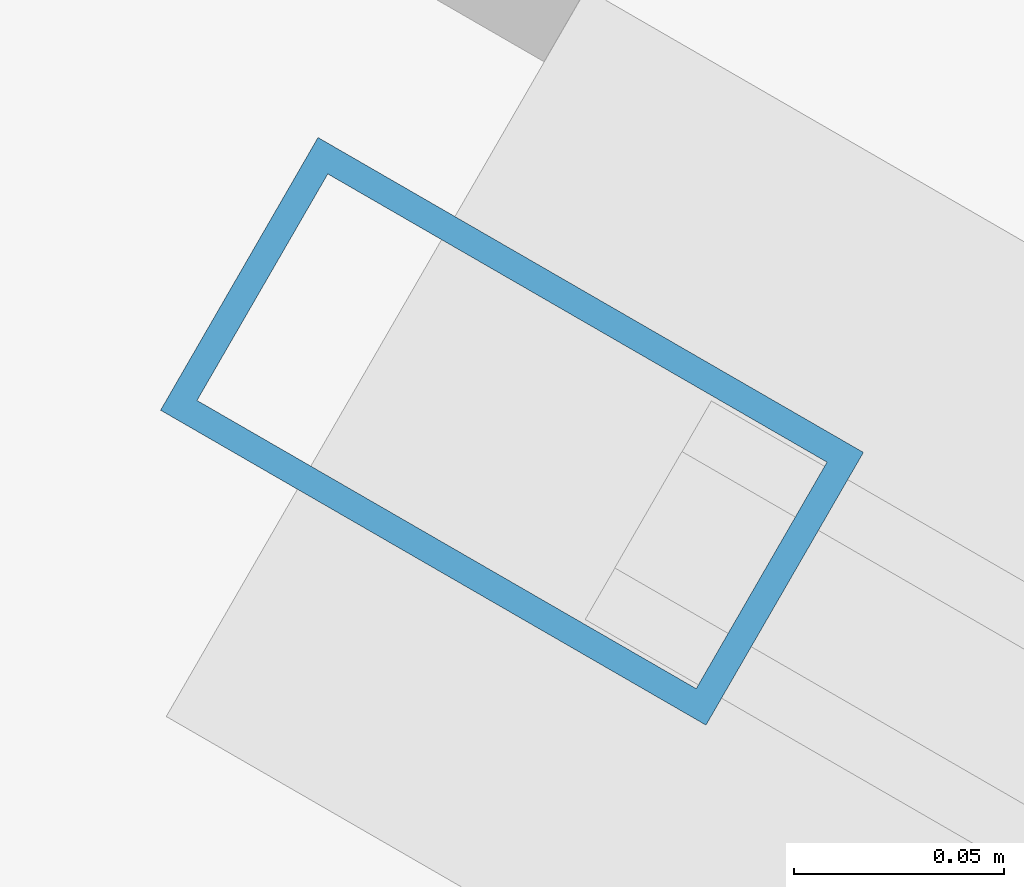
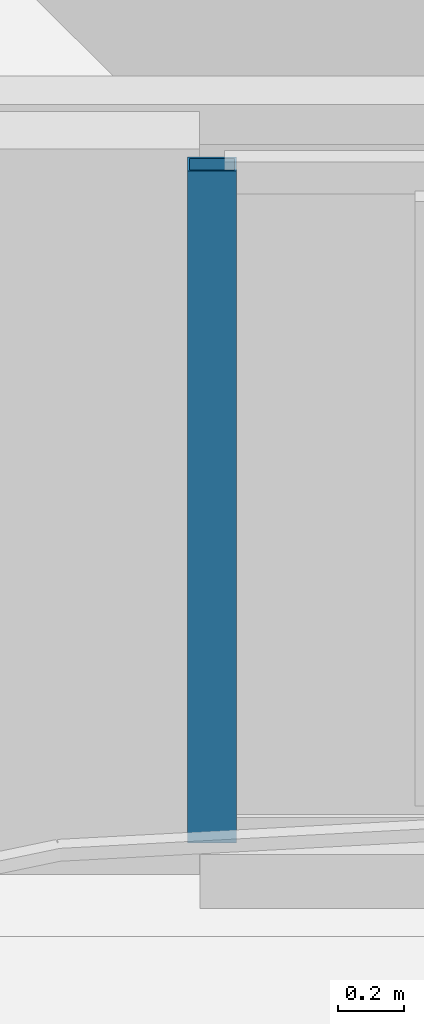
# One storey, part 4 of 18: 1 member, 1 element without a shape of its own.
"""IFC4 building model written with IfcOpenShell, lengths in metres."""

import ifcopenshell
import ifcopenshell.guid

model = None  # the IFC model being written
_history = None  # IfcOwnerHistory: only IFC2X3 demands one
_inside = {}  # id of a spatial element -> (the spatial element, [elements in it])
_under = {}  # id of a project, library or spatial element -> (it, [spatial elements below it])
_declared = {}  # id of a project -> (the project, [libraries it declares])
_typed = {}  # id of a type object -> (the type object, [elements of that type])
_made_of = {}  # id of a material, layer set ... -> (it, [elements and type objects made of it])


def new_model(schema):
    """Start an empty IFC model of exactly this schema.

    Asked for "IFC4X3", IfcOpenShell would pick the latest addendum, in which some entities
    have other attributes; the version numbers below select the first issue.
    IFC2X3 requires an IfcOwnerHistory on every rooted entity: one is made here for all.
    """
    global model, _history
    if schema == "IFC4X3":
        model = ifcopenshell.file(schema_version=(4, 3, 0, 0))
    else:
        model = ifcopenshell.file(schema=schema)
    _inside.clear()
    _under.clear()
    _declared.clear()
    _typed.clear()
    _made_of.clear()
    _history = None
    if model.schema == "IFC2X3":
        org = make("IfcOrganization", Name="unknown")
        user = make(
            "IfcPersonAndOrganization",
            ThePerson=make("IfcPerson", FamilyName="unknown"),
            TheOrganization=org,
        )
        app = make(
            "IfcApplication",
            ApplicationDeveloper=org,
            Version="unknown",
            ApplicationFullName="unknown",
            ApplicationIdentifier="unknown",
        )
        _history = make(
            "IfcOwnerHistory",
            OwningUser=user,
            OwningApplication=app,
            ChangeAction="ADDED",
            CreationDate=0,
        )
    return model


def make(cls, **values):
    """One entity of the class cls with the attributes given. An attribute that is None is left unset."""
    return model.create_entity(
        cls, **{name: value for name, value in values.items() if value is not None}
    )


def rooted(cls, **values):
    """An entity with a GlobalId (a new one), such as an element, a storey or a relation."""
    return make(cls, GlobalId=ifcopenshell.guid.new(), OwnerHistory=_history, **values)


def si_unit(unit_type, name, prefix=None):
    """IfcSIUnit, for example si_unit("LENGTHUNIT", "METRE", prefix="MILLI")."""
    return make("IfcSIUnit", UnitType=unit_type, Prefix=prefix, Name=name)


def assignment(units):
    """IfcUnitAssignment: the units of a project."""
    return None if units is None else make("IfcUnitAssignment", Units=units)


def point(xyz):
    """IfcCartesianPoint."""
    return None if xyz is None else make("IfcCartesianPoint", Coordinates=xyz)


def direction(xyz):
    """IfcDirection."""
    return None if xyz is None else make("IfcDirection", DirectionRatios=xyz)


def frame(location, z_axis=None, x_axis=None):
    """IfcAxis2Placement3D, a coordinate frame: its origin and axes. An axis left out is left unset."""
    return make(
        "IfcAxis2Placement3D",
        Location=point(location),
        Axis=direction(z_axis),
        RefDirection=direction(x_axis),
    )


def frame_2d(location, x_axis=None):
    """IfcAxis2Placement2D, a coordinate frame in the plane: its origin and x axis."""
    return make(
        "IfcAxis2Placement2D", Location=point(location), RefDirection=direction(x_axis)
    )


def origin():
    """The frame at (0, 0, 0) with its axes left unset."""
    return frame((0.0, 0.0, 0.0))


def origin_2d():
    """The frame at (0, 0) in the plane with its x axis left unset."""
    return frame_2d((0.0, 0.0))


def place(relative_to, where):
    """IfcLocalPlacement: puts the frame where relative to a parent placement (None: the world)."""
    return make(
        "IfcLocalPlacement", PlacementRelTo=relative_to, RelativePlacement=where
    )


def context(
    kind, dimensions, precision=None, world=None, true_north=None, identifier=None
):
    """IfcGeometricRepresentationContext, for example the 3D "Model" context."""
    return make(
        "IfcGeometricRepresentationContext",
        ContextIdentifier=identifier,
        ContextType=kind,
        CoordinateSpaceDimension=dimensions,
        Precision=precision,
        WorldCoordinateSystem=world,
        TrueNorth=true_north,
    )


def subcontext(parent, identifier, kind, view, scale=None):
    """IfcGeometricRepresentationSubContext, for example "Body" below "Model"."""
    return make(
        "IfcGeometricRepresentationSubContext",
        ContextIdentifier=identifier,
        ContextType=kind,
        ParentContext=parent,
        TargetScale=scale,
        TargetView=view,
    )


def project(units=None, contexts=None):
    """IfcProject with its units and contexts."""
    return rooted(
        "IfcProject",
        Name="project",
        RepresentationContexts=contexts,
        UnitsInContext=assignment(units),
    )


def spatial(cls, under=None, at=None, **own):
    """A site, building, storey or space (cls), placed at a placement, below another one or the project."""
    s = rooted(cls, ObjectPlacement=at, **own)
    if under is not None:
        _under.setdefault(under.id(), (under, []))[1].append(s)
    return s


def profile(cls, at=None, kind="AREA", **sizes):
    """A parametric profile (cls). Its sizes go by their IFC names, for example OverallWidth=200.0."""
    return make(cls, ProfileType=kind, Position=at, **sizes)


def hollow_rectangle(**sizes):
    """IfcRectangleHollowProfileDef."""
    return profile("IfcRectangleHollowProfileDef", **sizes)


def extrude(swept, where, along, depth):
    """IfcExtrudedAreaSolid: the profile swept, set in the frame where, extruded along a direction by depth."""
    return make(
        "IfcExtrudedAreaSolid",
        SweptArea=swept,
        Position=where,
        ExtrudedDirection=direction(along),
        Depth=depth,
    )


def shape(context_of_items, identifier, shape_type, items):
    """IfcShapeRepresentation: the items that make up one representation, for example the "Body"."""
    return make(
        "IfcShapeRepresentation",
        ContextOfItems=context_of_items,
        RepresentationIdentifier=identifier,
        RepresentationType=shape_type,
        Items=items,
    )


def material(Name=None, Category=None):
    """IfcMaterial."""
    return make("IfcMaterial", Name=Name, Category=Category)


def layer(
    of_material, thickness, ventilated=None, Name=None, Category=None, Priority=None
):
    """IfcMaterialLayer: one layer of a wall or slab, of a material (None: an air gap)."""
    return make(
        "IfcMaterialLayer",
        Material=of_material,
        LayerThickness=thickness,
        IsVentilated=ventilated,
        Name=Name,
        Category=Category,
        Priority=Priority,
    )


def layer_set(layers, Name=None):
    """IfcMaterialLayerSet."""
    return make("IfcMaterialLayerSet", MaterialLayers=layers, LayerSetName=Name)


def material_profile(
    of_material, cross_section, Name=None, Category=None, Priority=None
):
    """IfcMaterialProfile: a cross section and its material."""
    return make(
        "IfcMaterialProfile",
        Name=Name,
        Material=of_material,
        Profile=cross_section,
        Priority=Priority,
        Category=Category,
    )


def profile_set(profiles, Name=None, composite=None):
    """IfcMaterialProfileSet."""
    return make(
        "IfcMaterialProfileSet",
        Name=Name,
        MaterialProfiles=profiles,
        CompositeProfile=composite,
    )


def made_of(thing, what):
    """Note that an element or type object is made of a material, layer set ...; save() writes the relation."""
    if what is not None:
        _made_of.setdefault(what.id(), (what, []))[1].append(thing)
    return thing


def type_object(cls, material=None, **own):
    """A type object (cls), such as IfcWallType, which elements share."""
    return made_of(rooted(cls, **own), material)


def element(
    cls,
    number,
    at=None,
    inside=None,
    cuts=None,
    type_object=None,
    material=None,
    context=None,
    identifier="Body",
    shape_type=None,
    held_by="IfcProductDefinitionShape",
    body=None,
    shapes=None,
    **own,
):
    """One element of the class cls, such as IfcWall. Its Tag is "e" and its number.

    at: its placement. inside: the storey or other place that contains it. cuts: it is an
    opening in that element (IfcRelVoidsElement). A single representation is given by context,
    identifier, shape_type and body (its items); several are given by shapes. held_by: the class
    of the entity that holds the representations. save() writes the other relations.
    """
    e = rooted(cls, Tag="e%d" % number, ObjectPlacement=at, **own)
    if body is not None:
        shapes = [shape(context, identifier, shape_type, body)]
    if shapes is not None:
        e.Representation = make(held_by, Representations=shapes)
    if inside is not None:
        _inside.setdefault(inside.id(), (inside, []))[1].append(e)
    if cuts is not None:
        rooted(
            "IfcRelVoidsElement", RelatingBuildingElement=cuts, RelatedOpeningElement=e
        )
    if type_object is not None:
        _typed.setdefault(type_object.id(), (type_object, []))[1].append(e)
    return made_of(e, material)


def aggregate(whole, parts):
    """IfcRelAggregates: a whole, such as a stair, and the parts it consists of."""
    return rooted("IfcRelAggregates", RelatingObject=whole, RelatedObjects=parts)


def save(model, path):
    """Write the relations noted so far, then the file.

    IfcRelAggregates (storeys below a building ...), IfcRelContainedInSpatialStructure (elements
    in a storey), IfcRelDefinesByType, IfcRelAssociatesMaterial and IfcRelDeclares: one each for
    every whole, place, type object, material and project.
    """
    for whole, parts in _under.values():
        aggregate(whole, parts)
    for where, things in _inside.values():
        rooted(
            "IfcRelContainedInSpatialStructure",
            RelatedElements=things,
            RelatingStructure=where,
        )
    for kind, things in _typed.values():
        rooted("IfcRelDefinesByType", RelatedObjects=things, RelatingType=kind)
    for what, things in _made_of.values():
        rooted("IfcRelAssociatesMaterial", RelatedObjects=things, RelatingMaterial=what)
    for by, libraries in _declared.values():
        rooted("IfcRelDeclares", RelatingContext=by, RelatedDefinitions=libraries)
    model.write(path)


model = new_model("IFC4")

# Units and contexts
model_context = context("Model", 3, precision=1e-05, world=origin(), true_north=direction((0.0, 1.0)))
body_context = subcontext(model_context, "Body", "Model", "MODEL_VIEW")
ifc_project = project(units=[si_unit("LENGTHUNIT", "METRE"), si_unit("AREAUNIT", "SQUARE_METRE"), si_unit("VOLUMEUNIT", "CUBIC_METRE"), si_unit("PLANEANGLEUNIT", "RADIAN"), si_unit("MASSUNIT", "GRAM", prefix="KILO")], contexts=[model_context])

# Site, building, storey
site_placement = place(None, origin())
site = spatial("IfcSite", under=ifc_project, at=site_placement, CompositionType="ELEMENT")
building_placement = place(site_placement, origin())
building = spatial("IfcBuilding", under=site, at=building_placement, Name="Mersakhor Tower and Convention Hall", CompositionType="ELEMENT")
storey_placement = place(building_placement, frame((0.0, 0.0, 233.10009765625)))
storey = spatial("IfcBuildingStorey", under=building, at=storey_placement, Name="L65", CompositionType="ELEMENT", Elevation=233.10009765625)

# Curtain wall, member
ifc_material_1 = material(Name="Dark solar low-E aluminium curtain wall", Category="aluminium")
ifc_layer = layer(ifc_material_1, 0.179931640625)
ifc_layer_set = layer_set([ifc_layer], Name="Dark solar low-E aluminium curtain wall")
curtain_wall_type = type_object("IfcCurtainWallType", Name="CW-SYS-03", PredefinedType="USERDEFINED", material=ifc_layer_set)
curtain_wall_placement = place(storey_placement, origin())
curtain_wall = element("IfcCurtainWall", 1, at=curtain_wall_placement, inside=storey, type_object=curtain_wall_type, Name="L65 Dark-Glass Curtain Wall F3-B2", ObjectType="CURTAIN WALL", PredefinedType="USERDEFINED")
ifc_material_2 = material(Name="Anodised aluminium EN AW-6063 T6", Category="aluminium")
ifc_material_profile = material_profile(ifc_material_2, hollow_rectangle(XDim=0.074951171875, YDim=0.14990234375, WallThickness=0.00634765625, at=origin_2d()), Name="RHS 150x75x6.3")
ifc_profile_set = profile_set([ifc_material_profile], Name="Anodised aluminium EN AW-6063 T6")
member_type = type_object("IfcMemberType", Name="CWM-150x75", PredefinedType="MULLION", material=ifc_profile_set)
member_placement = place(storey_placement, frame((20.098388671875, 19.484619140625, 0.199951171875), z_axis=(0.0, 0.0, 1.0), x_axis=(-0.500004411169, -0.86602285698, 0.0)))
member = element("IfcMember", 2, at=member_placement, type_object=member_type, Name="CW-03 mullion 3", PredefinedType="MULLION", context=body_context, shape_type="SweptSolid", body=[
    extrude(hollow_rectangle(XDim=0.074951171875, YDim=0.14990234375, WallThickness=0.00634765625, at=origin_2d()), origin(), (0.0, 0.0, 1.0), 2.5),
])
aggregate(curtain_wall, [member])

save(model, "model.ifc")
